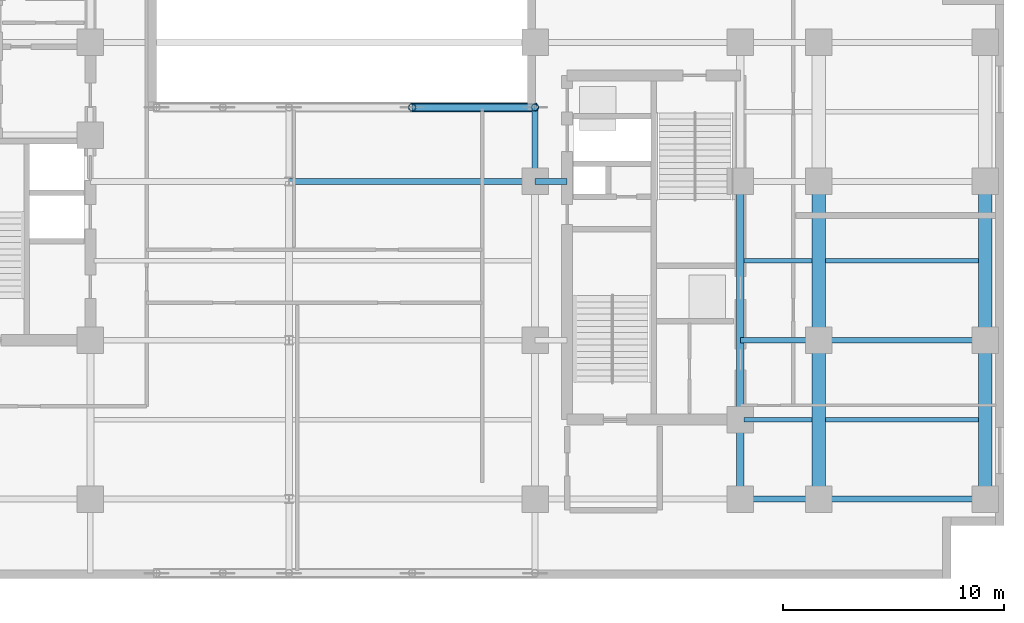
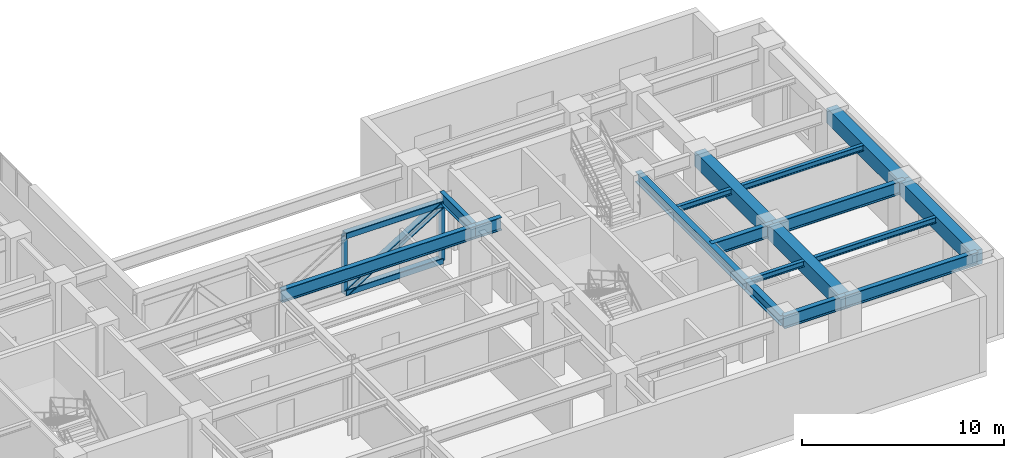
# One storey, part 7 of 18: 17 beams, 5 members.
"""IFC4 building model written with IfcOpenShell, lengths in metres."""

from ifc_helpers import new_model, entity, si_unit, converted_unit, direction, frame, origin_with_axes, origin_2d_with_axis, place, context, subcontext, project, spatial, rectangle, hollow_rectangle, hollow_circle, i_section, extrude, material, material_profile, profile_set, type_object, element, save


model = new_model("IFC4")

# Units and contexts
model_context = context("Model", 3, precision=1e-05, world=origin_with_axes(), true_north=direction((0.0, 1.0)))
body_context = subcontext(model_context, "Body", "Model", "MODEL_VIEW")
ifc_project = project(units=[si_unit("LENGTHUNIT", "METRE"), si_unit("AREAUNIT", "SQUARE_METRE"), si_unit("VOLUMEUNIT", "CUBIC_METRE"), converted_unit("PLANEANGLEUNIT", "DEGREE", entity("IfcPlaneAngleMeasure", 0.017453292519943295), si_unit("PLANEANGLEUNIT", "RADIAN"), dimensions=[0, 0, 0, 0, 0, 0, 0]), si_unit("MASSUNIT", "GRAM", prefix="KILO"), si_unit("THERMODYNAMICTEMPERATUREUNIT", "KELVIN")], contexts=[model_context])

# Site, building, storey
site_placement = place(None, origin_with_axes())
site = spatial("IfcSite", under=ifc_project, at=site_placement, CompositionType="ELEMENT")
building_placement = place(site_placement, origin_with_axes())
building = spatial("IfcBuilding", under=site, at=building_placement, Name="Varnlund Millrace Tower", CompositionType="ELEMENT")
storey_placement = place(building_placement, frame((0.0, 0.0, 124.2), z_axis=(0.0, 0.0, 1.0), x_axis=(1.0, 0.0, 0.0)))
storey = spatial("IfcBuildingStorey", under=building, at=storey_placement, Name="L30", CompositionType="ELEMENT", Elevation=124.2)

# Beams
ifc_material_1 = material(Name="Steel ASTM A992 Grade 50", Category="steel")
ifc_material_profile_1 = material_profile(ifc_material_1, i_section(OverallWidth=0.328, OverallDepth=0.628, WebThickness=0.0165, FlangeThickness=0.0277, FilletRadius=0.018, at=origin_2d_with_axis()), Name="Steel ASTM A992 Grade 50")
ifc_profile_set_1 = profile_set([ifc_material_profile_1], Name="Steel ASTM A992 Grade 50")
beam_type_1 = type_object("IfcBeamType", Name="Type-Girder-W24X146", PredefinedType="USERDEFINED", material=ifc_profile_set_1)
beam_1_placement = place(storey_placement, frame((48.05, 3.6, 4.246), z_axis=(0.0, 1.0, 0.0), x_axis=(-1.0, 0.0, 0.0)))
element("IfcBeam", 1, at=beam_1_placement, inside=storey, type_object=beam_type_1, Name="Type-Girder-W24X146", ObjectType="GIRDER", PredefinedType="USERDEFINED", context=body_context, shape_type="SweptSolid", body=[
    extrude(i_section(OverallWidth=0.328, OverallDepth=0.628, WebThickness=0.0165, FlangeThickness=0.0277, FilletRadius=0.018, at=origin_2d_with_axis()), origin_with_axes(), (0.0, 0.0, 1.0), 3.6),
])
beam_2_placement = place(storey_placement, frame((48.05, 7.2, 4.246), z_axis=(0.0, 1.0, 0.0), x_axis=(-1.0, 0.0, 0.0)))
element("IfcBeam", 2, at=beam_2_placement, inside=storey, type_object=beam_type_1, Name="Type-Girder-W24X146", ObjectType="GIRDER", PredefinedType="USERDEFINED", context=body_context, shape_type="SweptSolid", body=[
    extrude(i_section(OverallWidth=0.328, OverallDepth=0.628, WebThickness=0.0165, FlangeThickness=0.0277, FilletRadius=0.018, at=origin_2d_with_axis()), origin_with_axes(), (0.0, 0.0, 1.0), 10.8),
])
ifc_material_profile_2 = material_profile(ifc_material_1, i_section(OverallWidth=0.256, OverallDepth=0.693, WebThickness=0.0145, FlangeThickness=0.0236, FilletRadius=0.018, at=origin_2d_with_axis()), Name="Steel ASTM A992 Grade 50")
ifc_profile_set_2 = profile_set([ifc_material_profile_2], Name="Steel ASTM A992 Grade 50")
beam_type_2 = type_object("IfcBeamType", Name="Type-Girder-W27X114", PredefinedType="USERDEFINED", material=ifc_profile_set_2)
beam_3_placement = place(storey_placement, frame((38.75, 18.14, 4.2135), z_axis=(0.0, 1.0, 0.0), x_axis=(-1.0, 0.0, 0.0)))
element("IfcBeam", 3, at=beam_3_placement, inside=storey, type_object=beam_type_2, Name="Type-Girder-W27X114", ObjectType="GIRDER", PredefinedType="USERDEFINED", context=body_context, shape_type="SweptSolid", body=[
    extrude(i_section(OverallWidth=0.256, OverallDepth=0.693, WebThickness=0.0145, FlangeThickness=0.0236, FilletRadius=0.018, at=origin_2d_with_axis()), origin_with_axes(), (0.0, 0.0, 1.0), 3.21),
])
ifc_material_profile_3 = material_profile(ifc_material_1, i_section(OverallWidth=0.266, OverallDepth=0.779, WebThickness=0.0165, FlangeThickness=0.03, FilletRadius=0.02, at=origin_2d_with_axis()), Name="Steel ASTM A992 Grade 50")
ifc_profile_set_3 = profile_set([ifc_material_profile_3], Name="Steel ASTM A992 Grade 50")
beam_type_3 = type_object("IfcBeamType", Name="Type-Girder-W30X148", PredefinedType="USERDEFINED", material=ifc_profile_set_3)
beam_4_placement = place(storey_placement, frame((48.05, 3.6, 4.1705), z_axis=(1.0, 0.0, 0.0), x_axis=(0.0, 1.0, 0.0)))
element("IfcBeam", 4, at=beam_4_placement, inside=storey, type_object=beam_type_3, Name="Type-Girder-W30X148", ObjectType="GIRDER", PredefinedType="USERDEFINED", context=body_context, shape_type="SweptSolid", body=[
    extrude(i_section(OverallWidth=0.266, OverallDepth=0.779, WebThickness=0.0165, FlangeThickness=0.03, FilletRadius=0.02, at=origin_2d_with_axis()), origin_with_axes(), (0.0, 0.0, 1.0), 3.55),
])
beam_5_placement = place(storey_placement, frame((51.6, 3.6, 4.1705), z_axis=(1.0, 0.0, 0.0), x_axis=(0.0, 1.0, 0.0)))
element("IfcBeam", 5, at=beam_5_placement, inside=storey, type_object=beam_type_3, Name="Type-Girder-W30X148", ObjectType="GIRDER", PredefinedType="USERDEFINED", context=body_context, shape_type="SweptSolid", body=[
    extrude(i_section(OverallWidth=0.266, OverallDepth=0.779, WebThickness=0.0165, FlangeThickness=0.03, FilletRadius=0.02, at=origin_2d_with_axis()), origin_with_axes(), (0.0, 0.0, 1.0), 7.55),
])
beam_6_placement = place(storey_placement, frame((48.05, 10.8, 4.1705), z_axis=(1.0, 0.0, 0.0), x_axis=(0.0, 1.0, 0.0)))
element("IfcBeam", 6, at=beam_6_placement, inside=storey, type_object=beam_type_3, Name="Type-Girder-W30X148", ObjectType="GIRDER", PredefinedType="USERDEFINED", context=body_context, shape_type="SweptSolid", body=[
    extrude(i_section(OverallWidth=0.266, OverallDepth=0.779, WebThickness=0.0165, FlangeThickness=0.03, FilletRadius=0.02, at=origin_2d_with_axis()), origin_with_axes(), (0.0, 0.0, 1.0), 3.55),
])
beam_7_placement = place(storey_placement, frame((51.6, 10.8, 4.1705), z_axis=(1.0, 0.0, 0.0), x_axis=(0.0, 1.0, 0.0)))
element("IfcBeam", 7, at=beam_7_placement, inside=storey, type_object=beam_type_3, Name="Type-Girder-W30X148", ObjectType="GIRDER", PredefinedType="USERDEFINED", context=body_context, shape_type="SweptSolid", body=[
    extrude(i_section(OverallWidth=0.266, OverallDepth=0.779, WebThickness=0.0165, FlangeThickness=0.03, FilletRadius=0.02, at=origin_2d_with_axis()), origin_with_axes(), (0.0, 0.0, 1.0), 7.55),
])
beam_8_placement = place(storey_placement, frame((27.6, 18.0, 4.1705), z_axis=(1.0, 0.0, 0.0), x_axis=(0.0, 1.0, 0.0)))
element("IfcBeam", 8, at=beam_8_placement, inside=storey, type_object=beam_type_3, Name="Type-Girder-W30X148", ObjectType="GIRDER", PredefinedType="USERDEFINED", context=body_context, shape_type="SweptSolid", body=[
    extrude(i_section(OverallWidth=0.266, OverallDepth=0.779, WebThickness=0.0165, FlangeThickness=0.03, FilletRadius=0.02, at=origin_2d_with_axis()), origin_with_axes(), (0.0, 0.0, 1.0), 11.15),
])
beam_9_placement = place(storey_placement, frame((38.75, 18.0, 4.1705), z_axis=(1.0, 0.0, 0.0), x_axis=(0.0, 1.0, 0.0)))
element("IfcBeam", 9, at=beam_9_placement, inside=storey, type_object=beam_type_3, Name="Type-Girder-W30X148", ObjectType="GIRDER", PredefinedType="USERDEFINED", context=body_context, shape_type="SweptSolid", body=[
    extrude(i_section(OverallWidth=0.266, OverallDepth=0.779, WebThickness=0.0165, FlangeThickness=0.03, FilletRadius=0.02, at=origin_2d_with_axis()), origin_with_axes(), (0.0, 0.0, 1.0), 1.45),
])
ifc_material_profile_4 = material_profile(ifc_material_1, i_section(OverallWidth=0.204, OverallDepth=0.35, WebThickness=0.0086, FlangeThickness=0.0151, FilletRadius=0.013, at=origin_2d_with_axis()), Name="Steel ASTM A992 Grade 50")
ifc_profile_set_4 = profile_set([ifc_material_profile_4], Name="Steel ASTM A992 Grade 50")
beam_type_4 = type_object("IfcBeamType", Name="Type-Joist-W14X48", PredefinedType="JOIST", material=ifc_profile_set_4)
for number, where, z_axis, x_axis, name in (
    (10, (48.214, 7.2, 4.385), (1.0, 0.0, 0.0), (0.0, 1.0, 0.0), "Type-Joist-W14X48"),
    (11, (48.214, 14.4, 4.385), (1.0, 0.0, 0.0), (0.0, 1.0, 0.0), "Type-Joist-W14X48"),
):
    element("IfcBeam", number, at=place(storey_placement, frame(where, z_axis=z_axis, x_axis=x_axis)), inside=storey, type_object=beam_type_4, Name=name, PredefinedType="JOIST", context=body_context, shape_type="SweptSolid", body=[
        extrude(i_section(OverallWidth=0.204, OverallDepth=0.35, WebThickness=0.0086, FlangeThickness=0.0151, FilletRadius=0.013, at=origin_2d_with_axis()), origin_with_axes(), (0.0, 0.0, 1.0), 3.086),
    ])
for number, where, z_axis, x_axis, name in (
    (12, (51.9, 7.2, 4.385), (1.0, 0.0, 0.0), (0.0, 1.0, 0.0), "Type-Joist-W14X48"),
    (13, (51.9, 14.4, 4.385), (1.0, 0.0, 0.0), (0.0, 1.0, 0.0), "Type-Joist-W14X48"),
):
    element("IfcBeam", number, at=place(storey_placement, frame(where, z_axis=z_axis, x_axis=x_axis)), inside=storey, type_object=beam_type_4, Name=name, PredefinedType="JOIST", context=body_context, shape_type="SweptSolid", body=[
        extrude(i_section(OverallWidth=0.204, OverallDepth=0.35, WebThickness=0.0086, FlangeThickness=0.0151, FilletRadius=0.013, at=origin_2d_with_axis()), origin_with_axes(), (0.0, 0.0, 1.0), 6.95),
    ])

# Members
ifc_material_2 = material(Name="Steel ASTM A500 Grade C", Category="steel")
ifc_material_profile_5 = material_profile(ifc_material_2, hollow_rectangle(XDim=0.356, YDim=0.356, WallThickness=0.0147, InnerFilletRadius=0.015, OuterFilletRadius=0.03, at=origin_2d_with_axis()), Name="Steel ASTM A500 Grade C")
ifc_profile_set_5 = profile_set([ifc_material_profile_5], Name="Steel ASTM A500 Grade C")
member_type_1 = type_object("IfcMemberType", Name="Type-Portal-Chord-HSS14", PredefinedType="CHORD", material=ifc_profile_set_5)
for number, where, z_axis, x_axis, name in (
    (14, (33.18, 21.35, 0.4), (1.0, 0.0, 0.0), (0.0, 1.0, 0.0), "Type-Portal-Chord-HSS14"),
    (15, (33.18, 21.35, 3.85), (1.0, 0.0, 0.0), (0.0, 1.0, 0.0), "Type-Portal-Chord-HSS14"),
):
    element("IfcMember", number, at=place(storey_placement, frame(where, z_axis=z_axis, x_axis=x_axis)), inside=storey, type_object=member_type_1, Name=name, PredefinedType="CHORD", context=body_context, shape_type="SweptSolid", body=[
        extrude(hollow_rectangle(XDim=0.356, YDim=0.356, WallThickness=0.0147, InnerFilletRadius=0.015, OuterFilletRadius=0.03, at=origin_2d_with_axis()), origin_with_axes(), (0.0, 0.0, 1.0), 5.57),
    ])
ifc_material_profile_6 = material_profile(ifc_material_1, i_section(OverallWidth=0.394, OverallDepth=0.375, WebThickness=0.0173, FlangeThickness=0.0277, FilletRadius=0.02, at=origin_2d_with_axis()), Name="Steel ASTM A992 Grade 50")
ifc_profile_set_6 = profile_set([ifc_material_profile_6], Name="Steel ASTM A992 Grade 50")
member_type_2 = type_object("IfcMemberType", Name="Type-Portal-Diag-W14X145", PredefinedType="BRACE", material=ifc_profile_set_6)
member_placement = place(storey_placement, frame((33.18, 21.35, 0.4), z_axis=(0.850135, 0.0, 0.526565), x_axis=(0.0, 1.0, 0.0)))
element("IfcMember", 16, at=member_placement, inside=storey, type_object=member_type_2, Name="Type-Portal-Diag-W14X145", PredefinedType="BRACE", context=body_context, shape_type="SweptSolid", body=[
    extrude(i_section(OverallWidth=0.394, OverallDepth=0.375, WebThickness=0.0173, FlangeThickness=0.0277, FilletRadius=0.02, at=origin_2d_with_axis()), origin_with_axes(), (0.0, 0.0, 1.0), 6.5519),
])
ifc_material_profile_7 = material_profile(ifc_material_2, hollow_circle(Radius=0.162, WallThickness=0.0118, at=origin_2d_with_axis()), Name="Steel ASTM A500 Grade C")
ifc_profile_set_7 = profile_set([ifc_material_profile_7], Name="Steel ASTM A500 Grade C")
member_type_3 = type_object("IfcMemberType", Name="Type-Portal-Strut-CHS324", PredefinedType="STRUT", material=ifc_profile_set_7)
for number, where, z_axis, x_axis, name in (
    (17, (33.18, 21.35, 0.4), (0.0, 0.0, 1.0), (1.0, 0.0, 0.0), "Type-Portal-Strut-CHS324"),
    (18, (38.75, 21.35, 0.4), (0.0, 0.0, 1.0), (1.0, 0.0, 0.0), "Type-Portal-Strut-CHS324"),
):
    element("IfcMember", number, at=place(storey_placement, frame(where, z_axis=z_axis, x_axis=x_axis)), inside=storey, type_object=member_type_3, Name=name, PredefinedType="STRUT", context=body_context, shape_type="SweptSolid", body=[
        extrude(hollow_circle(Radius=0.162, WallThickness=0.0118, at=origin_2d_with_axis()), origin_with_axes(), (0.0, 0.0, 1.0), 3.45),
    ])

# Beams
ifc_material_3 = material(Name="Concrete C70/85", Category="concrete")
ifc_material_profile_8 = material_profile(ifc_material_3, rectangle(XDim=0.6, YDim=0.9, at=origin_2d_with_axis()), Name="Concrete C70/85")
ifc_profile_set_8 = profile_set([ifc_material_profile_8], Name="Concrete C70/85")
beam_type_5 = type_object("IfcBeamType", Name="Type-Spandrel-RC600X900", PredefinedType="SPANDREL", material=ifc_profile_set_8)
for number, where, z_axis, x_axis, name in (
    (19, (51.6, 3.6, 4.11), (0.0, 1.0, 0.0), (-1.0, 0.0, 0.0), "Type-Spandrel-RC600X900"),
    (20, (51.6, 10.8, 4.11), (0.0, 1.0, 0.0), (-1.0, 0.0, 0.0), "Type-Spandrel-RC600X900"),
    (21, (59.15, 3.6, 4.11), (0.0, 1.0, 0.0), (-1.0, 0.0, 0.0), "Type-Spandrel-RC600X900"),
    (22, (59.15, 10.8, 4.11), (0.0, 1.0, 0.0), (-1.0, 0.0, 0.0), "Type-Spandrel-RC600X900"),
):
    element("IfcBeam", number, at=place(storey_placement, frame(where, z_axis=z_axis, x_axis=x_axis)), inside=storey, type_object=beam_type_5, Name=name, PredefinedType="SPANDREL", context=body_context, shape_type="SweptSolid", body=[
        extrude(rectangle(XDim=0.6, YDim=0.9, at=origin_2d_with_axis()), origin_with_axes(), (0.0, 0.0, 1.0), 7.2),
    ])

save(model, "model.ifc")
